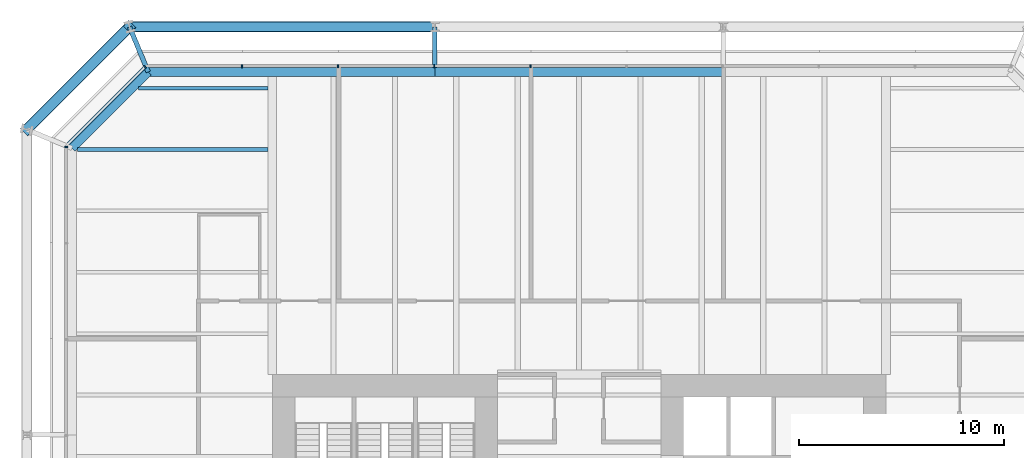
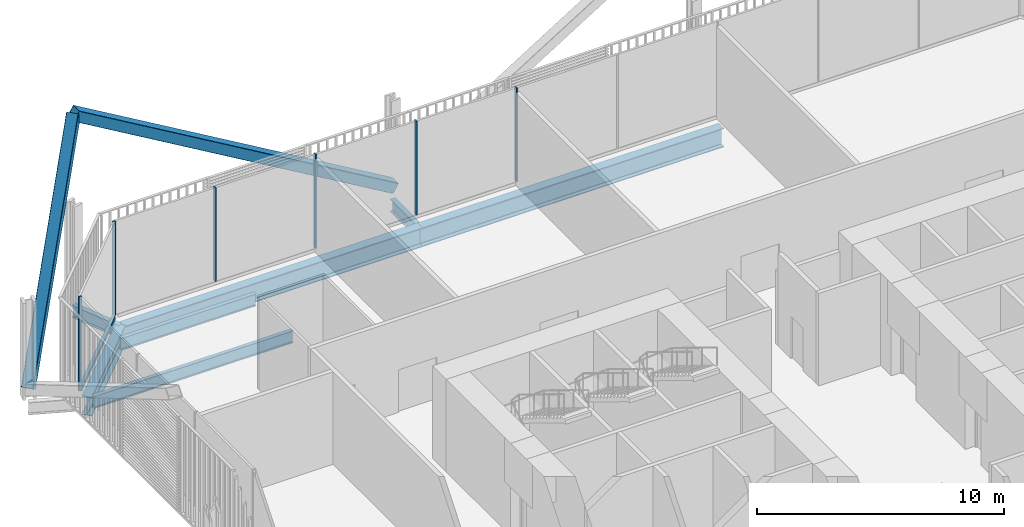
# One storey, part 14 of 22: 9 members, 7 beams, 3 elements without a shape of their own.
"""IFC4 building model written with IfcOpenShell, lengths in metres."""

from ifc_helpers import new_model, si_unit, direction, frame, origin, origin_2d, place, context, subcontext, project, spatial, rectangle, hollow_rectangle, i_section, extrude, material, layer, layer_set, material_profile, profile_set, type_object, element, aggregate, save


model = new_model("IFC4")

# Units and contexts
model_context = context("Model", 3, precision=1e-05, world=origin(), true_north=direction((0.0, 1.0)))
body_context = subcontext(model_context, "Body", "Model", "MODEL_VIEW")
ifc_project = project(units=[si_unit("LENGTHUNIT", "METRE"), si_unit("AREAUNIT", "SQUARE_METRE"), si_unit("VOLUMEUNIT", "CUBIC_METRE"), si_unit("PLANEANGLEUNIT", "RADIAN"), si_unit("MASSUNIT", "GRAM", prefix="KILO")], contexts=[model_context])

# Site, building, storey
site_placement = place(None, origin())
site = spatial("IfcSite", under=ifc_project, at=site_placement, CompositionType="ELEMENT")
building_placement = place(site_placement, origin())
building = spatial("IfcBuilding", under=site, at=building_placement, Name="Millrace Tower", CompositionType="ELEMENT")
storey_placement = place(building_placement, frame((0.0, 0.0, 44.89990234375)))
storey = spatial("IfcBuildingStorey", under=building, at=storey_placement, Name="L10", CompositionType="ELEMENT", Elevation=44.89990234375)

# Curtain wall, members
ifc_material_1 = material(Name="Aluminium and glass", Category="aluminium")
ifc_layer = layer(ifc_material_1, 0.14990234375)
ifc_layer_set = layer_set([ifc_layer], Name="Aluminium and glass")
curtain_wall_type = type_object("IfcCurtainWallType", Name="CW-2 data hall insulated curtain wall", PredefinedType="NOTDEFINED", material=ifc_layer_set)
placement = place(storey_placement, origin())
curtain_wall_1 = element("IfcCurtainWall", 1, at=placement, inside=storey, type_object=curtain_wall_type, Name="Curtain wall A-F06 L10", PredefinedType="NOTDEFINED")
ifc_material_2 = material(Name="Aluminium", Category="aluminium")
ifc_material_profile_1 = material_profile(ifc_material_2, rectangle(XDim=0.06494140625, YDim=0.14990234375, at=origin_2d()))
ifc_profile_set_1 = profile_set([ifc_material_profile_1], Name="Aluminium")
member_type_1 = type_object("IfcMemberType", Name="CW-2 data hall insulated curtain wall mullion", PredefinedType="MULLION", material=ifc_profile_set_1)
member_1_placement = place(storey_placement, frame((-2.382568359375, 25.074951171875, 0.16015625), z_axis=(0.0, 0.0, 1.0), x_axis=(-1.0, 0.0, 0.0)))
member_1 = element("IfcMember", 2, at=member_1_placement, type_object=member_type_1, Name="CW2 mullion A-F06.6", PredefinedType="MULLION", context=body_context, shape_type="SweptSolid", body=[
    extrude(rectangle(XDim=0.06494140625, YDim=0.14990234375, at=origin_2d()), origin(), (0.0, 0.0, 1.0), 4.639892578125),
])
member_2_placement = place(storey_placement, frame((-7.08251953125, 25.074951171875, 0.16015625), z_axis=(0.0, 0.0, 1.0), x_axis=(-1.0, 0.0, 0.0)))
member_2 = element("IfcMember", 3, at=member_2_placement, type_object=member_type_1, Name="CW2 mullion A-F06.7", PredefinedType="MULLION", context=body_context, shape_type="SweptSolid", body=[
    extrude(rectangle(XDim=0.06494140625, YDim=0.14990234375, at=origin_2d()), origin(), (0.0, 0.0, 1.0), 4.639892578125),
])
member_3_placement = place(storey_placement, frame((-11.782470703125, 25.074951171875, 0.16015625), z_axis=(0.0, 0.0, 1.0), x_axis=(-1.0, 0.0, 0.0)))
member_3 = element("IfcMember", 4, at=member_3_placement, type_object=member_type_1, Name="CW2 mullion A-F06.8", PredefinedType="MULLION", context=body_context, shape_type="SweptSolid", body=[
    extrude(rectangle(XDim=0.06494140625, YDim=0.14990234375, at=origin_2d()), origin(), (0.0, 0.0, 1.0), 4.639892578125),
])
member_4_placement = place(storey_placement, frame((-16.482421875, 25.074951171875, 0.16015625), z_axis=(0.0, 0.0, 1.0), x_axis=(-1.0, 0.0, 0.0)))
member_4 = element("IfcMember", 5, at=member_4_placement, type_object=member_type_1, Name="CW2 mullion A-F06.9", PredefinedType="MULLION", context=body_context, shape_type="SweptSolid", body=[
    extrude(rectangle(XDim=0.06494140625, YDim=0.14990234375, at=origin_2d()), origin(), (0.0, 0.0, 1.0), 4.639892578125),
])
aggregate(curtain_wall_1, [member_1, member_2, member_3, member_4])

# Curtain wall, member
curtain_wall_2 = element("IfcCurtainWall", 6, at=placement, inside=storey, type_object=curtain_wall_type, Name="Curtain wall A-F07 L10", PredefinedType="NOTDEFINED")
member_5_placement = place(storey_placement, frame((-21.22607421875, 25.030029296875, 0.16015625), z_axis=(0.0, 0.0, 1.0), x_axis=(-0.707106781187, -0.707106781187, 0.0)))
member_5 = element("IfcMember", 7, at=member_5_placement, type_object=member_type_1, Name="CW2 mullion A-F07.1", PredefinedType="MULLION", context=body_context, shape_type="SweptSolid", body=[
    extrude(rectangle(XDim=0.06494140625, YDim=0.14990234375, at=origin_2d()), origin(), (0.0, 0.0, 1.0), 4.639892578125),
])

curtain_wall_3 = element("IfcCurtainWall", 8, at=placement, inside=storey, type_object=curtain_wall_type, Name="Curtain wall A-F08 L10", PredefinedType="NOTDEFINED")
member_6_placement = place(storey_placement, frame((-25.074951171875, 21.117431640625, 0.16015625), z_axis=(0.0, 0.0, 1.0), x_axis=(0.0, -1.0, 0.0)))
member_6 = element("IfcMember", 9, at=member_6_placement, type_object=member_type_1, Name="CW2 mullion A-F08.1", PredefinedType="MULLION", context=body_context, shape_type="SweptSolid", body=[
    extrude(rectangle(XDim=0.06494140625, YDim=0.14990234375, at=origin_2d()), origin(), (0.0, 0.0, 1.0), 4.639892578125),
])
aggregate(curtain_wall_3, [member_6])

# Member
ifc_material_3 = material(Name="Aluminium", Category="aluminium")
ifc_material_profile_2 = material_profile(ifc_material_3, rectangle(XDim=0.14990234375, YDim=0.159912109375, at=origin_2d()))
ifc_profile_set_2 = profile_set([ifc_material_profile_2], Name="Aluminium")
member_type_2 = type_object("IfcMemberType", Name="CW-2 data hall insulated curtain wall transom", PredefinedType="USERDEFINED", material=ifc_profile_set_2)
member_7_placement = place(storey_placement, frame((-21.273681640625, 24.982421875, 0.080078125), z_axis=(-0.707106781187, -0.707106781187, 0.0), x_axis=(0.707106781187, -0.707106781187, 0.0)))
member_7 = element("IfcMember", 10, at=member_7_placement, type_object=member_type_2, Name="CW2 transom A-F07.1", ObjectType="TRANSOM", PredefinedType="USERDEFINED", context=body_context, shape_type="SweptSolid", body=[
    extrude(rectangle(XDim=0.14990234375, YDim=0.159912109375, at=origin_2d()), origin(), (0.0, 0.0, 1.0), 5.244873046875),
])

aggregate(curtain_wall_2, [member_5, member_7])

# Members
ifc_material_4 = material(Name="Steel ASTM A500 Grade C", Category="steel")
ifc_material_profile_3 = material_profile(ifc_material_4, hollow_rectangle(XDim=0.508056640625, YDim=0.508056640625, WallThickness=0.01904296875, InnerFilletRadius=0.009521484375, OuterFilletRadius=0.028564453125, at=origin_2d()))
ifc_profile_set_3 = profile_set([ifc_material_profile_3], Name="Steel ASTM A500 Grade C")
member_type_3 = type_object("IfcMemberType", Name="Exoskeleton brace HSS20x20x3/4", PredefinedType="BRACE", material=ifc_profile_set_3)
member_8_placement = place(storey_placement, frame((-7.050048828125, 27.0, 0.400146484375), z_axis=(-0.861464835883, 0.0, 0.507817227491), x_axis=(0.0, -1.0, 0.0)))
element("IfcMember", 11, at=member_8_placement, inside=storey, type_object=member_type_3, Name="BRC-A-L10-12", PredefinedType="BRACE", context=body_context, shape_type="SweptSolid", body=[
    extrude(hollow_rectangle(XDim=0.508056640625, YDim=0.508056640625, WallThickness=0.01904296875, InnerFilletRadius=0.009521484375, OuterFilletRadius=0.028564453125, at=origin_2d()), origin(), (0.0, 0.0, 1.0), 17.3291015625),
])
member_9_placement = place(storey_placement, frame((-27.0, 21.978515625, 0.400146484375), z_axis=(0.444063713793, 0.444063713793, 0.77821259061), x_axis=(-0.707106781187, 0.707106781187, 0.0)))
element("IfcMember", 12, at=member_9_placement, inside=storey, type_object=member_type_3, Name="BRC-A-L10-13", PredefinedType="BRACE", context=body_context, shape_type="SweptSolid", body=[
    extrude(hollow_rectangle(XDim=0.508056640625, YDim=0.508056640625, WallThickness=0.01904296875, InnerFilletRadius=0.009521484375, OuterFilletRadius=0.028564453125, at=origin_2d()), origin(), (0.0, 0.0, 1.0), 11.30810546875),
])

# Beams
ifc_material_5 = material(Name="Steel ASTM A992 Grade 50", Category="steel")
ifc_material_profile_4 = material_profile(ifc_material_5, i_section(OverallWidth=0.177978515625, OverallDepth=0.599365234375, WebThickness=0.010009765625, FlangeThickness=0.012939453125, FilletRadius=0.012939453125, at=origin_2d()))
ifc_profile_set_4 = profile_set([ifc_material_profile_4], Name="Steel ASTM A992 Grade 50")
beam_type_1 = type_object("IfcBeamType", Name="Floor beam W24x55", PredefinedType="JOIST", material=ifc_profile_set_4)
beam_1_placement = place(storey_placement, frame((-21.52978515625, 24.0, -0.524658203125), z_axis=(1.0, 0.0, 0.0), x_axis=(0.0, 1.0, 0.0)))
element("IfcBeam", 13, at=beam_1_placement, inside=storey, type_object=beam_type_1, Name="BM-A-L10-S1-S040", PredefinedType="JOIST", context=body_context, shape_type="SweptSolid", body=[
    extrude(i_section(OverallWidth=0.177978515625, OverallDepth=0.599365234375, WebThickness=0.010009765625, FlangeThickness=0.012939453125, FilletRadius=0.012939453125, at=origin_2d()), origin(), (0.0, 0.0, 1.0), 6.317626953125),
])
ifc_material_6 = material(Name="Steel ASTM A992 Grade 50", Category="steel")
ifc_material_profile_5 = material_profile(ifc_material_6, i_section(OverallWidth=0.1787109375, OverallDepth=0.60205078125, WebThickness=0.010986328125, FlangeThickness=0.014892578125, FilletRadius=0.0126953125, at=origin_2d()))
ifc_profile_set_5 = profile_set([ifc_material_profile_5], Name="Steel ASTM A992 Grade 50")
beam_type_2 = type_object("IfcBeamType", Name="Floor beam W24x62", PredefinedType="JOIST", material=ifc_profile_set_5)
beam_2_placement = place(storey_placement, frame((-24.52978515625, 21.0, -0.52587890625), z_axis=(1.0, 0.0, 0.0), x_axis=(0.0, 1.0, 0.0)))
element("IfcBeam", 14, at=beam_2_placement, inside=storey, type_object=beam_type_2, Name="BM-A-L10-S1-S038", PredefinedType="JOIST", context=body_context, shape_type="SweptSolid", body=[
    extrude(i_section(OverallWidth=0.1787109375, OverallDepth=0.60205078125, WebThickness=0.010986328125, FlangeThickness=0.014892578125, FilletRadius=0.0126953125, at=origin_2d()), origin(), (0.0, 0.0, 1.0), 9.317626953125),
])
ifc_material_7 = material(Name="Steel ASTM A992 Grade 50", Category="steel")
ifc_material_profile_6 = material_profile(ifc_material_7, i_section(OverallWidth=0.23046875, OverallDepth=0.6171875, WebThickness=0.01318359375, FlangeThickness=0.022216796875, FilletRadius=0.012939453125, at=origin_2d()))
ifc_profile_set_6 = profile_set([ifc_material_profile_6], Name="Steel ASTM A992 Grade 50")
beam_type_3 = type_object("IfcBeamType", Name="Link beam W24x94", PredefinedType="BEAM", material=ifc_profile_set_6)
beam_3_placement = place(storey_placement, frame((-21.062744140625, 24.7890625, -0.533447265625), z_axis=(-0.382673155247, 0.923883789366, 0.0), x_axis=(-0.923883789366, -0.382673155247, 0.0)))
element("IfcBeam", 15, at=beam_3_placement, inside=storey, type_object=beam_type_3, Name="LNK-A-L10-S1-05", PredefinedType="BEAM", context=body_context, shape_type="SweptSolid", body=[
    extrude(i_section(OverallWidth=0.23046875, OverallDepth=0.6171875, WebThickness=0.01318359375, FlangeThickness=0.022216796875, FilletRadius=0.012939453125, at=origin_2d()), origin(), (0.0, 0.0, 1.0), 2.39306640625),
])
beam_4_placement = place(storey_placement, frame((-7.050048828125, 25.0, -0.533447265625), z_axis=(0.0, 1.0, 0.0), x_axis=(-1.0, 0.0, 0.0)))
element("IfcBeam", 16, at=beam_4_placement, inside=storey, type_object=beam_type_3, Name="LNK-A-L10-S1-06", PredefinedType="BEAM", context=body_context, shape_type="SweptSolid", body=[
    extrude(i_section(OverallWidth=0.23046875, OverallDepth=0.6171875, WebThickness=0.01318359375, FlangeThickness=0.022216796875, FilletRadius=0.012939453125, at=origin_2d()), origin(), (0.0, 0.0, 1.0), 2.0),
])
ifc_material_8 = material(Name="Steel ASTM A992 Grade 50", Category="steel")
ifc_material_profile_7 = material_profile(ifc_material_8, i_section(OverallWidth=0.421630859375, OverallDepth=0.937255859375, WebThickness=0.021240234375, FlangeThickness=0.03662109375, FilletRadius=0.024169921875, at=origin_2d()))
ifc_profile_set_7 = profile_set([ifc_material_profile_7], Name="Steel ASTM A992 Grade 50")
beam_type_4 = type_object("IfcBeamType", Name="Ring beam medium span W36x262", PredefinedType="SPANDREL", material=ifc_profile_set_7)
beam_5_placement = place(storey_placement, frame((-21.062744140625, 24.7890625, -0.693603515625), z_axis=(1.0, 0.0, 0.0), x_axis=(0.0, 1.0, 0.0)))
element("IfcBeam", 17, at=beam_5_placement, inside=storey, type_object=beam_type_4, Name="RNG-A-L10-S1-05", PredefinedType="SPANDREL", context=body_context, shape_type="SweptSolid", body=[
    extrude(i_section(OverallWidth=0.421630859375, OverallDepth=0.937255859375, WebThickness=0.021240234375, FlangeThickness=0.03662109375, FilletRadius=0.024169921875, at=origin_2d()), origin(), (0.0, 0.0, 1.0), 14.0126953125),
])
beam_6_placement = place(storey_placement, frame((-7.050048828125, 24.7890625, -0.693603515625), z_axis=(1.0, 0.0, 0.0), x_axis=(0.0, 1.0, 0.0)))
element("IfcBeam", 18, at=beam_6_placement, inside=storey, type_object=beam_type_4, Name="RNG-A-L10-S1-06", PredefinedType="SPANDREL", context=body_context, shape_type="SweptSolid", body=[
    extrude(i_section(OverallWidth=0.421630859375, OverallDepth=0.937255859375, WebThickness=0.021240234375, FlangeThickness=0.03662109375, FilletRadius=0.024169921875, at=origin_2d()), origin(), (0.0, 0.0, 1.0), 14.10009765625),
])
ifc_material_9 = material(Name="Steel ASTM A992 Grade 50", Category="steel")
ifc_material_profile_8 = material_profile(ifc_material_9, i_section(OverallWidth=0.421630859375, OverallDepth=0.937255859375, WebThickness=0.021240234375, FlangeThickness=0.03662109375, FilletRadius=0.024169921875, at=origin_2d()))
ifc_profile_set_8 = profile_set([ifc_material_profile_8], Name="Steel ASTM A992 Grade 50")
beam_type_5 = type_object("IfcBeamType", Name="Ring beam short span W36x262", PredefinedType="SPANDREL", material=ifc_profile_set_8)
beam_7_placement = place(storey_placement, frame((-24.7890625, 21.062744140625, -0.693603515625), z_axis=(0.707106781187, 0.707106781187, 0.0), x_axis=(-0.707106781187, 0.707106781187, 0.0)))
element("IfcBeam", 19, at=beam_7_placement, inside=storey, type_object=beam_type_5, Name="RNG-A-L10-S1-04", PredefinedType="SPANDREL", context=body_context, shape_type="SweptSolid", body=[
    extrude(i_section(OverallWidth=0.421630859375, OverallDepth=0.937255859375, WebThickness=0.021240234375, FlangeThickness=0.03662109375, FilletRadius=0.024169921875, at=origin_2d()), origin(), (0.0, 0.0, 1.0), 5.269775390625),
])

save(model, "model.ifc")
